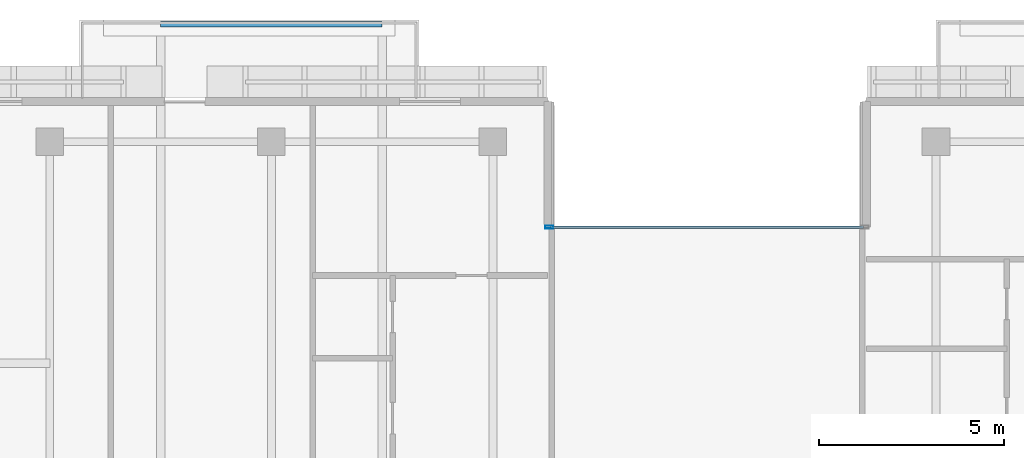
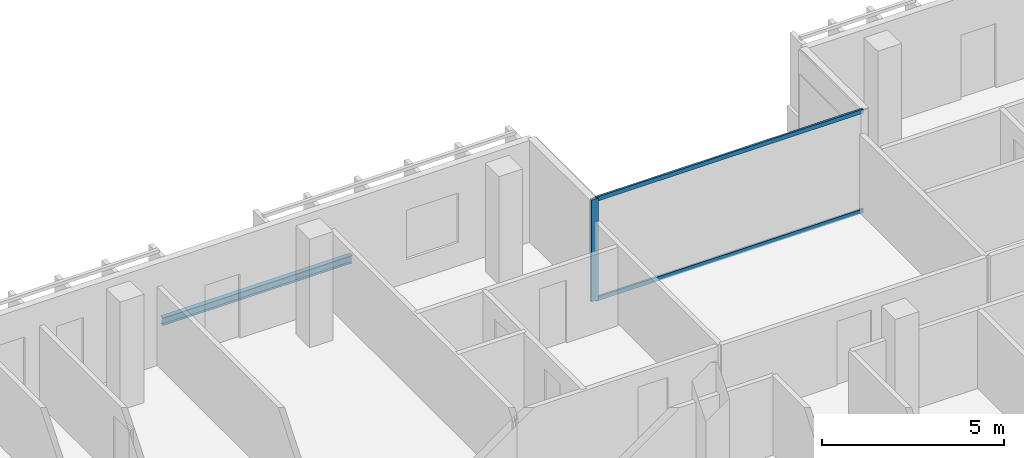
# One storey, part 6 of 23: 3 members, 1 beam, 1 element without a shape of its own.
"""IFC4 building model written with IfcOpenShell, lengths in metres."""

import ifcopenshell
import ifcopenshell.guid

model = None  # the IFC model being written
_history = None  # IfcOwnerHistory: only IFC2X3 demands one
_inside = {}  # id of a spatial element -> (the spatial element, [elements in it])
_under = {}  # id of a project, library or spatial element -> (it, [spatial elements below it])
_declared = {}  # id of a project -> (the project, [libraries it declares])
_typed = {}  # id of a type object -> (the type object, [elements of that type])
_made_of = {}  # id of a material, layer set ... -> (it, [elements and type objects made of it])


def new_model(schema):
    """Start an empty IFC model of exactly this schema.

    Asked for "IFC4X3", IfcOpenShell would pick the latest addendum, in which some entities
    have other attributes; the version numbers below select the first issue.
    IFC2X3 requires an IfcOwnerHistory on every rooted entity: one is made here for all.
    """
    global model, _history
    if schema == "IFC4X3":
        model = ifcopenshell.file(schema_version=(4, 3, 0, 0))
    else:
        model = ifcopenshell.file(schema=schema)
    _inside.clear()
    _under.clear()
    _declared.clear()
    _typed.clear()
    _made_of.clear()
    _history = None
    if model.schema == "IFC2X3":
        org = make("IfcOrganization", Name="unknown")
        user = make(
            "IfcPersonAndOrganization",
            ThePerson=make("IfcPerson", FamilyName="unknown"),
            TheOrganization=org,
        )
        app = make(
            "IfcApplication",
            ApplicationDeveloper=org,
            Version="unknown",
            ApplicationFullName="unknown",
            ApplicationIdentifier="unknown",
        )
        _history = make(
            "IfcOwnerHistory",
            OwningUser=user,
            OwningApplication=app,
            ChangeAction="ADDED",
            CreationDate=0,
        )
    return model


def make(cls, **values):
    """One entity of the class cls with the attributes given. An attribute that is None is left unset."""
    return model.create_entity(
        cls, **{name: value for name, value in values.items() if value is not None}
    )


def rooted(cls, **values):
    """An entity with a GlobalId (a new one), such as an element, a storey or a relation."""
    return make(cls, GlobalId=ifcopenshell.guid.new(), OwnerHistory=_history, **values)


def si_unit(unit_type, name, prefix=None):
    """IfcSIUnit, for example si_unit("LENGTHUNIT", "METRE", prefix="MILLI")."""
    return make("IfcSIUnit", UnitType=unit_type, Prefix=prefix, Name=name)


def assignment(units):
    """IfcUnitAssignment: the units of a project."""
    return None if units is None else make("IfcUnitAssignment", Units=units)


def point(xyz):
    """IfcCartesianPoint."""
    return None if xyz is None else make("IfcCartesianPoint", Coordinates=xyz)


def direction(xyz):
    """IfcDirection."""
    return None if xyz is None else make("IfcDirection", DirectionRatios=xyz)


def frame(location, z_axis=None, x_axis=None):
    """IfcAxis2Placement3D, a coordinate frame: its origin and axes. An axis left out is left unset."""
    return make(
        "IfcAxis2Placement3D",
        Location=point(location),
        Axis=direction(z_axis),
        RefDirection=direction(x_axis),
    )


def frame_2d(location, x_axis=None):
    """IfcAxis2Placement2D, a coordinate frame in the plane: its origin and x axis."""
    return make(
        "IfcAxis2Placement2D", Location=point(location), RefDirection=direction(x_axis)
    )


def origin():
    """The frame at (0, 0, 0) with its axes left unset."""
    return frame((0.0, 0.0, 0.0))


def origin_2d():
    """The frame at (0, 0) in the plane with its x axis left unset."""
    return frame_2d((0.0, 0.0))


def place(relative_to, where):
    """IfcLocalPlacement: puts the frame where relative to a parent placement (None: the world)."""
    return make(
        "IfcLocalPlacement", PlacementRelTo=relative_to, RelativePlacement=where
    )


def context(
    kind, dimensions, precision=None, world=None, true_north=None, identifier=None
):
    """IfcGeometricRepresentationContext, for example the 3D "Model" context."""
    return make(
        "IfcGeometricRepresentationContext",
        ContextIdentifier=identifier,
        ContextType=kind,
        CoordinateSpaceDimension=dimensions,
        Precision=precision,
        WorldCoordinateSystem=world,
        TrueNorth=true_north,
    )


def subcontext(parent, identifier, kind, view, scale=None):
    """IfcGeometricRepresentationSubContext, for example "Body" below "Model"."""
    return make(
        "IfcGeometricRepresentationSubContext",
        ContextIdentifier=identifier,
        ContextType=kind,
        ParentContext=parent,
        TargetScale=scale,
        TargetView=view,
    )


def project(units=None, contexts=None):
    """IfcProject with its units and contexts."""
    return rooted(
        "IfcProject",
        Name="project",
        RepresentationContexts=contexts,
        UnitsInContext=assignment(units),
    )


def spatial(cls, under=None, at=None, **own):
    """A site, building, storey or space (cls), placed at a placement, below another one or the project."""
    s = rooted(cls, ObjectPlacement=at, **own)
    if under is not None:
        _under.setdefault(under.id(), (under, []))[1].append(s)
    return s


def profile(cls, at=None, kind="AREA", **sizes):
    """A parametric profile (cls). Its sizes go by their IFC names, for example OverallWidth=200.0."""
    return make(cls, ProfileType=kind, Position=at, **sizes)


def hollow_rectangle(**sizes):
    """IfcRectangleHollowProfileDef."""
    return profile("IfcRectangleHollowProfileDef", **sizes)


def i_section(**sizes):
    """IfcIShapeProfileDef."""
    return profile("IfcIShapeProfileDef", **sizes)


def extrude(swept, where, along, depth):
    """IfcExtrudedAreaSolid: the profile swept, set in the frame where, extruded along a direction by depth."""
    return make(
        "IfcExtrudedAreaSolid",
        SweptArea=swept,
        Position=where,
        ExtrudedDirection=direction(along),
        Depth=depth,
    )


def shape(context_of_items, identifier, shape_type, items):
    """IfcShapeRepresentation: the items that make up one representation, for example the "Body"."""
    return make(
        "IfcShapeRepresentation",
        ContextOfItems=context_of_items,
        RepresentationIdentifier=identifier,
        RepresentationType=shape_type,
        Items=items,
    )


def material(Name=None, Category=None):
    """IfcMaterial."""
    return make("IfcMaterial", Name=Name, Category=Category)


def layer(
    of_material, thickness, ventilated=None, Name=None, Category=None, Priority=None
):
    """IfcMaterialLayer: one layer of a wall or slab, of a material (None: an air gap)."""
    return make(
        "IfcMaterialLayer",
        Material=of_material,
        LayerThickness=thickness,
        IsVentilated=ventilated,
        Name=Name,
        Category=Category,
        Priority=Priority,
    )


def layer_set(layers, Name=None):
    """IfcMaterialLayerSet."""
    return make("IfcMaterialLayerSet", MaterialLayers=layers, LayerSetName=Name)


def material_profile(
    of_material, cross_section, Name=None, Category=None, Priority=None
):
    """IfcMaterialProfile: a cross section and its material."""
    return make(
        "IfcMaterialProfile",
        Name=Name,
        Material=of_material,
        Profile=cross_section,
        Priority=Priority,
        Category=Category,
    )


def profile_set(profiles, Name=None, composite=None):
    """IfcMaterialProfileSet."""
    return make(
        "IfcMaterialProfileSet",
        Name=Name,
        MaterialProfiles=profiles,
        CompositeProfile=composite,
    )


def made_of(thing, what):
    """Note that an element or type object is made of a material, layer set ...; save() writes the relation."""
    if what is not None:
        _made_of.setdefault(what.id(), (what, []))[1].append(thing)
    return thing


def type_object(cls, material=None, **own):
    """A type object (cls), such as IfcWallType, which elements share."""
    return made_of(rooted(cls, **own), material)


def element(
    cls,
    number,
    at=None,
    inside=None,
    cuts=None,
    type_object=None,
    material=None,
    context=None,
    identifier="Body",
    shape_type=None,
    held_by="IfcProductDefinitionShape",
    body=None,
    shapes=None,
    **own,
):
    """One element of the class cls, such as IfcWall. Its Tag is "e" and its number.

    at: its placement. inside: the storey or other place that contains it. cuts: it is an
    opening in that element (IfcRelVoidsElement). A single representation is given by context,
    identifier, shape_type and body (its items); several are given by shapes. held_by: the class
    of the entity that holds the representations. save() writes the other relations.
    """
    e = rooted(cls, Tag="e%d" % number, ObjectPlacement=at, **own)
    if body is not None:
        shapes = [shape(context, identifier, shape_type, body)]
    if shapes is not None:
        e.Representation = make(held_by, Representations=shapes)
    if inside is not None:
        _inside.setdefault(inside.id(), (inside, []))[1].append(e)
    if cuts is not None:
        rooted(
            "IfcRelVoidsElement", RelatingBuildingElement=cuts, RelatedOpeningElement=e
        )
    if type_object is not None:
        _typed.setdefault(type_object.id(), (type_object, []))[1].append(e)
    return made_of(e, material)


def aggregate(whole, parts):
    """IfcRelAggregates: a whole, such as a stair, and the parts it consists of."""
    return rooted("IfcRelAggregates", RelatingObject=whole, RelatedObjects=parts)


def save(model, path):
    """Write the relations noted so far, then the file.

    IfcRelAggregates (storeys below a building ...), IfcRelContainedInSpatialStructure (elements
    in a storey), IfcRelDefinesByType, IfcRelAssociatesMaterial and IfcRelDeclares: one each for
    every whole, place, type object, material and project.
    """
    for whole, parts in _under.values():
        aggregate(whole, parts)
    for where, things in _inside.values():
        rooted(
            "IfcRelContainedInSpatialStructure",
            RelatedElements=things,
            RelatingStructure=where,
        )
    for kind, things in _typed.values():
        rooted("IfcRelDefinesByType", RelatedObjects=things, RelatingType=kind)
    for what, things in _made_of.values():
        rooted("IfcRelAssociatesMaterial", RelatedObjects=things, RelatingMaterial=what)
    for by, libraries in _declared.values():
        rooted("IfcRelDeclares", RelatingContext=by, RelatedDefinitions=libraries)
    model.write(path)


model = new_model("IFC4")

# Units and contexts
model_context = context("Model", 3, precision=1e-05, world=origin(), true_north=direction((0.0, 1.0)))
body_context = subcontext(model_context, "Body", "Model", "MODEL_VIEW")
ifc_project = project(units=[si_unit("LENGTHUNIT", "METRE"), si_unit("AREAUNIT", "SQUARE_METRE"), si_unit("VOLUMEUNIT", "CUBIC_METRE"), si_unit("PLANEANGLEUNIT", "RADIAN"), si_unit("MASSUNIT", "GRAM", prefix="KILO")], contexts=[model_context])

# Site, building, storey
site_placement = place(None, origin())
site = spatial("IfcSite", under=ifc_project, at=site_placement, CompositionType="ELEMENT")
building_placement = place(site_placement, origin())
building = spatial("IfcBuilding", under=site, at=building_placement, Name="Tanjung Sevakor Pilgrim Tower", CompositionType="ELEMENT")
storey_placement = place(building_placement, frame((0.0, 0.0, 215.489990234375)))
storey = spatial("IfcBuildingStorey", under=building, at=storey_placement, Name="L60", CompositionType="ELEMENT", Elevation=215.489990234375)

# Beam
ifc_material_1 = material(Name="Steel S355J2", Category="steel")
ifc_material_profile_1 = material_profile(ifc_material_1, i_section(OverallWidth=0.146484375, OverallDepth=0.256103515625, WebThickness=0.00634765625, FlangeThickness=0.010986328125, FilletRadius=0.007568359375, at=origin_2d()))
ifc_profile_set_1 = profile_set([ifc_material_profile_1], Name="Steel S355J2")
beam_type = type_object("IfcBeamType", Name="BM-B-J6-UB_254x146x37", PredefinedType="JOIST", material=ifc_profile_set_1)
beam_placement = place(storey_placement, frame((33.0, 57.1298828125, -0.327880859375), z_axis=(1.0, 0.0, 0.0), x_axis=(0.0, 1.0, 0.0)))
element("IfcBeam", 1, at=beam_placement, inside=storey, type_object=beam_type, Name="L60 Balcony Rim Tie MAIN-N1", PredefinedType="JOIST", context=body_context, shape_type="SweptSolid", body=[
    extrude(i_section(OverallWidth=0.146484375, OverallDepth=0.256103515625, WebThickness=0.00634765625, FlangeThickness=0.010986328125, FilletRadius=0.007568359375, at=origin_2d()), origin(), (0.0, 0.0, 1.0), 6.0),
])

# Curtain wall, members
ifc_material_2 = material(Name="Aluminium 6063-T6 and Low-E Glass", Category="aluminium")
ifc_layer = layer(ifc_material_2, 0.179931640625)
ifc_layer_set = layer_set([ifc_layer], Name="CW-SYS-CLEFT")
curtain_wall_type = type_object("IfcCurtainWallType", Name="CW-SYS-CLEFT", PredefinedType="NOTDEFINED", material=ifc_layer_set)
curtain_wall_placement = place(storey_placement, origin())
curtain_wall = element("IfcCurtainWall", 2, at=curtain_wall_placement, inside=storey, type_object=curtain_wall_type, Name="L60 Curtain Wall CW-CLF-L60-10", PredefinedType="NOTDEFINED")
ifc_material_3 = material(Name="Aluminium 6063-T6", Category="aluminium")
ifc_material_profile_2 = material_profile(ifc_material_3, hollow_rectangle(XDim=0.074951171875, YDim=0.219970703125, WallThickness=0.0048828125, at=origin_2d()))
ifc_profile_set_2 = profile_set([ifc_material_profile_2], Name="Aluminium 6063-T6")
member_type_1 = type_object("IfcMemberType", Name="TYPE-CWM-2", PredefinedType="MULLION", material=ifc_profile_set_2)
member_1_placement = place(storey_placement, frame((43.527587890625, 51.639892578125, 0.0), z_axis=(0.0, 0.0, 1.0), x_axis=(0.0, -1.0, 0.0)))
member_1 = element("IfcMember", 3, at=member_1_placement, type_object=member_type_1, Name="CW-CLF mullion 2", PredefinedType="MULLION", context=body_context, shape_type="SweptSolid", body=[
    extrude(hollow_rectangle(XDim=0.074951171875, YDim=0.219970703125, WallThickness=0.0048828125, at=origin_2d()), origin(), (0.0, 0.0, 1.0), 3.409912109375),
])
ifc_material_4 = material(Name="Aluminium 6063-T6", Category="aluminium")
ifc_material_profile_3 = material_profile(ifc_material_4, hollow_rectangle(XDim=0.06494140625, YDim=0.139892578125, WallThickness=0.00390625, at=origin_2d()))
ifc_profile_set_3 = profile_set([ifc_material_profile_3], Name="Aluminium 6063-T6")
member_type_2 = type_object("IfcMemberType", Name="TYPE-CWT-1", PredefinedType="USERDEFINED", material=ifc_profile_set_3)
member_2_placement = place(storey_placement, frame((52.034912109375, 51.639892578125, 0.032470703125), z_axis=(-1.0, 0.0, 0.0), x_axis=(0.0, -1.0, 0.0)))
member_2 = element("IfcMember", 4, at=member_2_placement, type_object=member_type_2, Name="CW-CLF transom 1.1", ObjectType="TRANSOM", PredefinedType="USERDEFINED", context=body_context, shape_type="SweptSolid", body=[
    extrude(hollow_rectangle(XDim=0.06494140625, YDim=0.139892578125, WallThickness=0.00390625, at=origin_2d()), origin(), (0.0, 0.0, 1.0), 8.469970703125),
])
member_3_placement = place(storey_placement, frame((52.034912109375, 51.639892578125, 3.37744140625), z_axis=(-1.0, 0.0, 0.0), x_axis=(0.0, -1.0, 0.0)))
member_3 = element("IfcMember", 5, at=member_3_placement, type_object=member_type_2, Name="CW-CLF transom 1.2", ObjectType="TRANSOM", PredefinedType="USERDEFINED", context=body_context, shape_type="SweptSolid", body=[
    extrude(hollow_rectangle(XDim=0.06494140625, YDim=0.139892578125, WallThickness=0.00390625, at=origin_2d()), origin(), (0.0, 0.0, 1.0), 8.469970703125),
])
aggregate(curtain_wall, [member_1, member_2, member_3])

save(model, "model.ifc")
